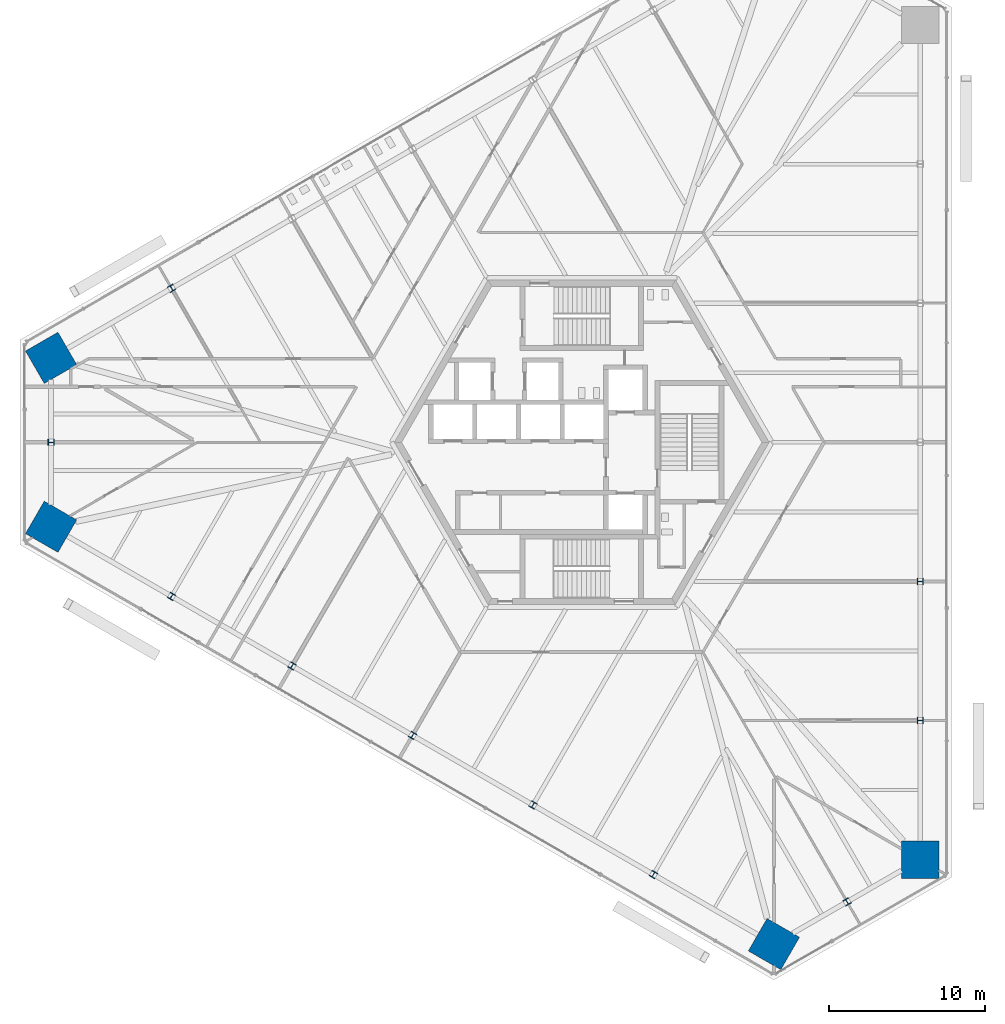
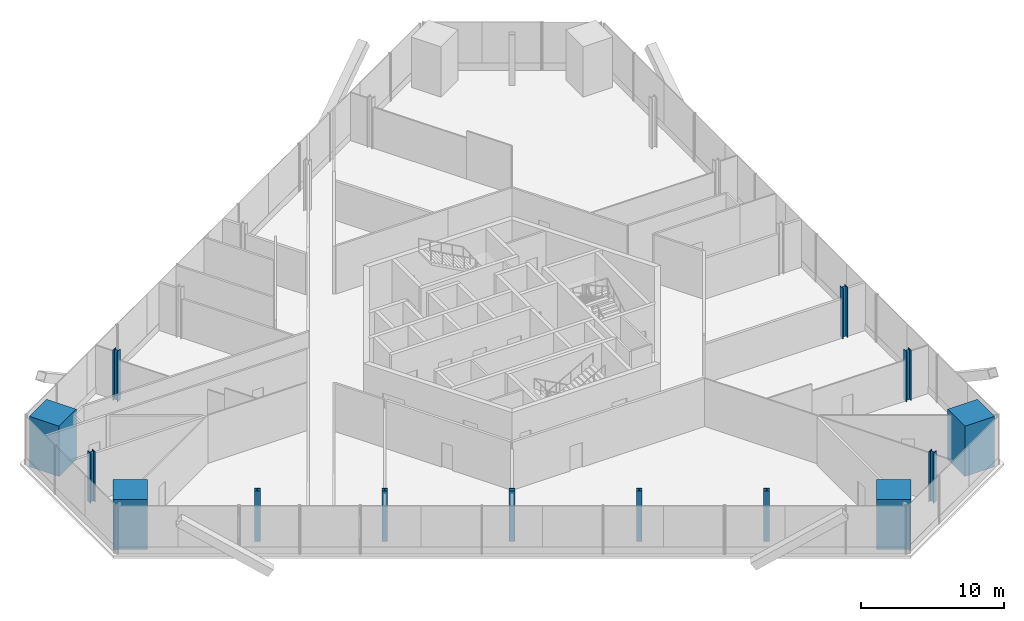
# One storey, part 1 of 17: 14 columns.
"""IFC4 building model written with IfcOpenShell, lengths in metres."""

from ifc_helpers import new_model, si_unit, direction, frame, origin, origin_2d, place, context, subcontext, project, spatial, rectangle, i_section, extrude, source, transform, mapped, material, material_profile, profile_set, type_object, element, save


model = new_model("IFC4")

# Units and contexts
model_context = context("Model", 3, precision=1e-05, world=origin(), true_north=direction((0.0, 1.0)))
body_context = subcontext(model_context, "Body", "Model", "MODEL_VIEW")
ifc_project = project(units=[si_unit("LENGTHUNIT", "METRE"), si_unit("AREAUNIT", "SQUARE_METRE"), si_unit("VOLUMEUNIT", "CUBIC_METRE"), si_unit("PLANEANGLEUNIT", "RADIAN"), si_unit("MASSUNIT", "GRAM", prefix="KILO")], contexts=[model_context])

# Site, building, storey
site_placement = place(None, origin())
site = spatial("IfcSite", under=ifc_project, at=site_placement, CompositionType="ELEMENT")
building_placement = place(site_placement, origin())
building = spatial("IfcBuilding", under=site, at=building_placement, Name="Triune Harvest Tower", CompositionType="ELEMENT")
storey_placement = place(building_placement, frame((0.0, 0.0, 46.10009765625)))
storey = spatial("IfcBuildingStorey", under=building, at=storey_placement, Name="L10", CompositionType="ELEMENT", Elevation=46.10009765625)

# Columns
ifc_material_1 = material(Name="Concrete 70 MPa", Category="concrete")
ifc_material_profile_1 = material_profile(ifc_material_1, rectangle(XDim=2.39990234375, YDim=2.39990234375, at=origin_2d()), Name="Composite 2400x2400")
ifc_profile_set_1 = profile_set([ifc_material_profile_1], Name="Concrete 70 MPa")
column_type_1 = type_object("IfcColumnType", Name="MC-1 Mega column Composite 2400x2400", PredefinedType="COLUMN", material=ifc_profile_set_1)
shared_shape_1 = source(origin(), body_context, "Body", "SweptSolid", [
    extrude(rectangle(XDim=2.39990234375, YDim=2.39990234375, at=origin_2d()), origin(), (0.0, 0.0, 1.0), 4.2998046875),
])
for number, where, z_axis, x_axis, name in (
    (1, (21.679443359375, -26.72998046875, 0.0), (0.0, 0.0, 1.0), (0.0, 1.0, 0.0), "col/L10/M0"),
    (2, (-33.988525390625, 5.409912109375, 0.0), (0.0, 0.0, 1.0), (-0.866025403784, -0.5, 0.0), "col/L10/M14"),
    (3, (-33.988525390625, -5.409912109375, 0.0), (0.0, 0.0, 1.0), (0.866025403784, -0.5, 0.0), "col/L10/M16"),
    (4, (12.30908203125, -32.139892578125, 0.0), (0.0, 0.0, 1.0), (0.866025403784, -0.5, 0.0), "col/L10/M22"),
):
    element("IfcColumn", number, at=place(storey_placement, frame(where, z_axis=z_axis, x_axis=x_axis)), inside=storey, type_object=column_type_1, Name=name, PredefinedType="COLUMN", context=body_context, shape_type="MappedRepresentation", body=[
        mapped(shared_shape_1, transform((0.0, 0.0, 0.0), scale=1.0)),
    ])
ifc_material_2 = material(Name="Steel ASTM A992 Gr 50", Category="steel")
ifc_material_profile_2 = material_profile(ifc_material_2, i_section(OverallWidth=0.40380859375, OverallDepth=0.406494140625, WebThickness=0.027099609375, FlangeThickness=0.043701171875, at=origin_2d()), Name="W14x233")
ifc_profile_set_2 = profile_set([ifc_material_profile_2], Name="Steel ASTM A992 Gr 50")
column_type_2 = type_object("IfcColumnType", Name="PC-1 Perimeter column W14x233", PredefinedType="COLUMN", material=ifc_profile_set_2)
shared_shape_2 = source(origin(), body_context, "Body", "SweptSolid", [
    extrude(i_section(OverallWidth=0.40380859375, OverallDepth=0.406494140625, WebThickness=0.027099609375, FlangeThickness=0.043701171875, at=origin_2d()), origin(), (0.0, 0.0, 1.0), 4.2998046875),
])
for number, where, z_axis, x_axis, name in (
    (5, (21.679443359375, -17.820068359375, 0.0), (0.0, 0.0, 1.0), (0.0, 1.0, 0.0), "col/L10/P1"),
    (6, (21.679443359375, -8.909912109375, 0.0), (0.0, 0.0, 1.0), (0.0, 1.0, 0.0), "col/L10/P2"),
    (7, (-26.272216796875, 9.864990234375, 0.0), (0.0, 0.0, 1.0), (-0.866025403784, -0.5, 0.0), "col/L10/P13"),
    (8, (-33.988525390625, 0.0, 0.0), (0.0, 0.0, 1.0), (0.0, -1.0, 0.0), "col/L10/P15"),
    (9, (-26.272216796875, -9.864990234375, 0.0), (0.0, 0.0, 1.0), (0.866025403784, -0.5, 0.0), "col/L10/P17"),
    (10, (-18.555908203125, -14.320068359375, 0.0), (0.0, 0.0, 1.0), (0.866025403784, -0.5, 0.0), "col/L10/P18"),
    (11, (-10.839599609375, -18.77490234375, 0.0), (0.0, 0.0, 1.0), (0.866025403784, -0.5, 0.0), "col/L10/P19"),
    (12, (-3.12353515625, -23.22998046875, 0.0), (0.0, 0.0, 1.0), (0.866025403784, -0.5, 0.0), "col/L10/P20"),
    (13, (4.5927734375, -27.68505859375, 0.0), (0.0, 0.0, 1.0), (0.866025403784, -0.5, 0.0), "col/L10/P21"),
    (14, (16.994384765625, -29.43505859375, 0.0), (0.0, 0.0, 1.0), (0.866026276448, 0.4999984885, 0.0), "col/L10/P23"),
):
    element("IfcColumn", number, at=place(storey_placement, frame(where, z_axis=z_axis, x_axis=x_axis)), inside=storey, type_object=column_type_2, Name=name, PredefinedType="COLUMN", context=body_context, shape_type="MappedRepresentation", body=[
        mapped(shared_shape_2, transform((0.0, 0.0, 0.0), scale=1.0)),
    ])

save(model, "model.ifc")
